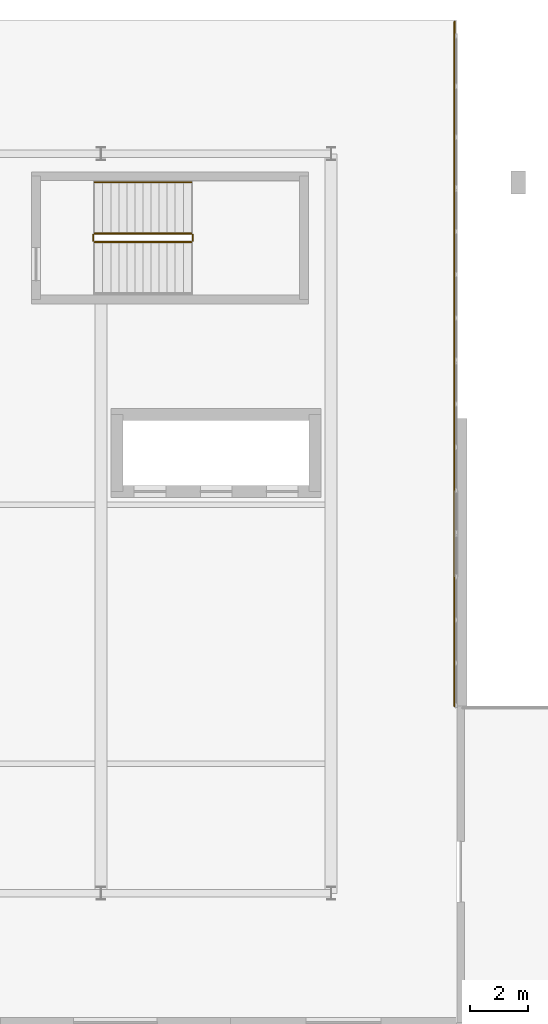
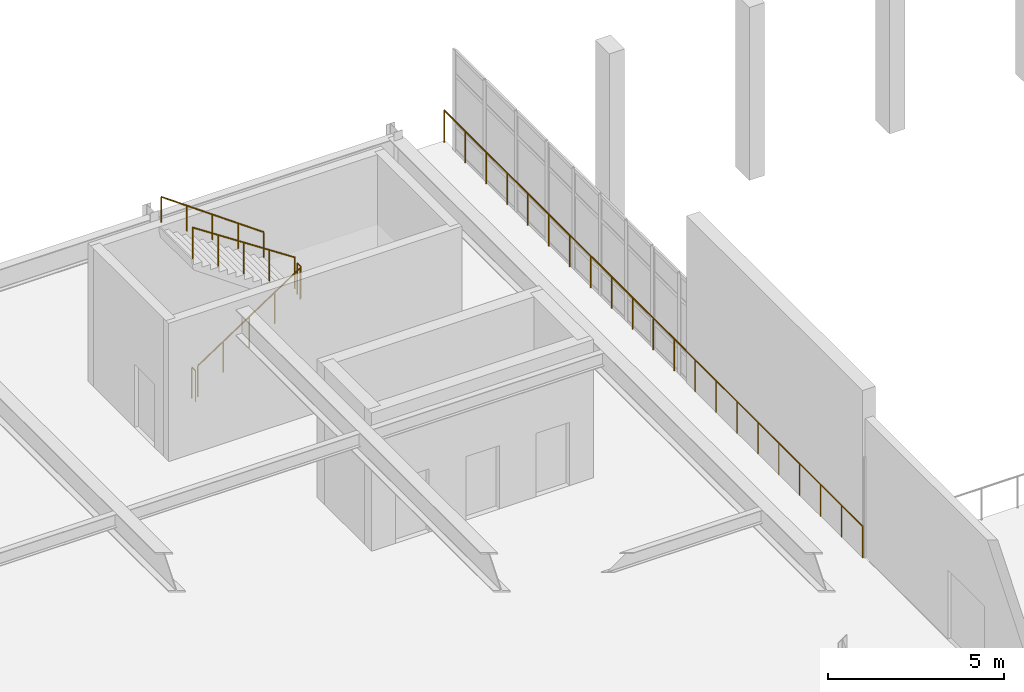
# One storey, part 53 of 54: 6 railings.
"""IFC4 building model written with IfcOpenShell, lengths in metres."""

from ifc_helpers import new_model, si_unit, direction, frame, origin, origin_2d, place, context, subcontext, project, spatial, circle, extrude, material, type_object, element, save


model = new_model("IFC4")

# Units and contexts
model_context = context("Model", 3, precision=1e-05, world=origin(), true_north=direction((0.0, 1.0)))
body_context = subcontext(model_context, "Body", "Model", "MODEL_VIEW")
ifc_project = project(units=[si_unit("LENGTHUNIT", "METRE"), si_unit("AREAUNIT", "SQUARE_METRE"), si_unit("VOLUMEUNIT", "CUBIC_METRE"), si_unit("PLANEANGLEUNIT", "RADIAN"), si_unit("MASSUNIT", "GRAM", prefix="KILO")], contexts=[model_context])

# Site, building, storey
site_placement = place(None, origin())
site = spatial("IfcSite", under=ifc_project, at=site_placement, CompositionType="ELEMENT")
building_placement = place(site_placement, origin())
building = spatial("IfcBuilding", under=site, at=building_placement, Name="Tlacozan Convention Centre", CompositionType="ELEMENT")
storey_placement = place(building_placement, frame((0.0, 0.0, 11.39990234375)))
storey = spatial("IfcBuildingStorey", under=building, at=storey_placement, Name="L02", CompositionType="ELEMENT", Elevation=11.39990234375)

# Railings
ifc_material = material(Name="Architectural Painted Galvanised Steel Railing", Category="steel")
railing_type_1 = type_object("IfcRailingType", Name="Stair Wall Handrail 900", PredefinedType="HANDRAIL", material=ifc_material)
railing_1_placement = place(storey_placement, frame((134.639892578125, 56.2099609375, 2.584716796875)))
element("IfcRailing", 1, at=railing_1_placement, inside=storey, type_object=railing_type_1, Name="L02 ST-03 stair handrail 2", PredefinedType="HANDRAIL", context=body_context, shape_type="SweptSolid", body=[
    extrude(circle(Radius=0.02392578125, at=origin_2d()), frame((0.0, 0.0, 0.8759765625), z_axis=(-0.813733471207, 0.0, 0.581238193719), x_axis=(0.0, -1.0, 0.0)), (0.0, 0.0, 1.0), 4.12890625),
    extrude(circle(Radius=0.02099609375, at=origin_2d()), origin(), (0.0, 0.0, 1.0), 0.851806640625),
    extrude(circle(Radius=0.02099609375, at=origin_2d()), frame((-0.83984375, 0.0, 0.60009765625)), (0.0, 0.0, 1.0), 0.851806640625),
    extrude(circle(Radius=0.02099609375, at=origin_2d()), frame((-1.679931640625, 0.0, 1.199951171875)), (0.0, 0.0, 1.0), 0.851806640625),
    extrude(circle(Radius=0.02099609375, at=origin_2d()), frame((-2.52001953125, 0.0, 1.7998046875)), (0.0, 0.0, 1.0), 0.851806640625),
    extrude(circle(Radius=0.02099609375, at=origin_2d()), frame((-3.35986328125, 0.0, 2.39990234375)), (0.0, 0.0, 1.0), 0.851806640625),
])
railing_type_2 = type_object("IfcRailingType", Name="Stair Well Guardrail 1100", PredefinedType="GUARDRAIL", material=ifc_material)
railing_2_placement = place(storey_placement, frame((131.280029296875, 54.1298828125, 0.184814453125)))
element("IfcRailing", 2, at=railing_2_placement, inside=storey, type_object=railing_type_2, Name="L02 ST-03 stair guard 1", PredefinedType="GUARDRAIL", context=body_context, shape_type="SweptSolid", body=[
    extrude(circle(Radius=0.02392578125, at=origin_2d()), frame((0.0, 0.0, 1.076171875), z_axis=(0.834858096282, 0.0, 0.550465220583), x_axis=(0.0, 1.0, 0.0)), (0.0, 0.0, 1.0), 4.0244140625),
    extrude(circle(Radius=0.02099609375, at=origin_2d()), origin(), (0.0, 0.0, 1.0), 1.052001953125),
    extrude(circle(Radius=0.02099609375, at=origin_2d()), frame((0.83984375, 0.0, 0.5537109375)), (0.0, 0.0, 1.0), 1.052001953125),
    extrude(circle(Radius=0.02099609375, at=origin_2d()), frame((1.679931640625, 0.0, 1.107666015625)), (0.0, 0.0, 1.0), 1.052001953125),
    extrude(circle(Radius=0.02099609375, at=origin_2d()), frame((2.52001953125, 0.0, 1.66162109375)), (0.0, 0.0, 1.0), 1.052001953125),
    extrude(circle(Radius=0.02099609375, at=origin_2d()), frame((3.35986328125, 0.0, 2.21533203125)), (0.0, 0.0, 1.0), 1.052001953125),
])
railing_3_placement = place(storey_placement, frame((134.68994140625, 54.179931640625, 2.400146484375)))
element("IfcRailing", 3, at=railing_3_placement, inside=storey, type_object=railing_type_2, Name="L02 ST-03 stair guard 2", PredefinedType="GUARDRAIL", context=body_context, shape_type="SweptSolid", body=[
    extrude(circle(Radius=0.02392578125, at=origin_2d()), frame((0.0, 0.0, 1.076171875), z_axis=(0.0, 1.0, 0.0), x_axis=(-1.0, 0.0, 0.0)), (0.0, 0.0, 1.0), 0.199951171875),
    extrude(circle(Radius=0.02099609375, at=origin_2d()), origin(), (0.0, 0.0, 1.0), 1.052001953125),
    extrude(circle(Radius=0.02099609375, at=origin_2d()), frame((0.0, 0.199951171875, 0.0)), (0.0, 0.0, 1.0), 1.052001953125),
])
railing_4_placement = place(storey_placement, frame((134.639892578125, 54.429931640625, 2.584716796875)))
element("IfcRailing", 4, at=railing_4_placement, inside=storey, type_object=railing_type_2, Name="L02 ST-03 stair guard 3", PredefinedType="GUARDRAIL", context=body_context, shape_type="SweptSolid", body=[
    extrude(circle(Radius=0.02392578125, at=origin_2d()), frame((0.0, 0.0, 1.076171875), z_axis=(-0.834858096282, 0.0, 0.550465220583), x_axis=(0.0, -1.0, 0.0)), (0.0, 0.0, 1.0), 4.0244140625),
    extrude(circle(Radius=0.02099609375, at=origin_2d()), origin(), (0.0, 0.0, 1.0), 1.052001953125),
    extrude(circle(Radius=0.02099609375, at=origin_2d()), frame((-0.83984375, 0.0, 0.5537109375)), (0.0, 0.0, 1.0), 1.052001953125),
    extrude(circle(Radius=0.02099609375, at=origin_2d()), frame((-1.679931640625, 0.0, 1.107666015625)), (0.0, 0.0, 1.0), 1.052001953125),
    extrude(circle(Radius=0.02099609375, at=origin_2d()), frame((-2.52001953125, 0.0, 1.66162109375)), (0.0, 0.0, 1.0), 1.052001953125),
    extrude(circle(Radius=0.02099609375, at=origin_2d()), frame((-3.35986328125, 0.0, 2.21533203125)), (0.0, 0.0, 1.0), 1.052001953125),
])
railing_5_placement = place(storey_placement, frame((131.22998046875, 54.179931640625, 0.0)))
element("IfcRailing", 5, at=railing_5_placement, inside=storey, type_object=railing_type_2, Name="L02 ST-03 stair guard 4", PredefinedType="GUARDRAIL", context=body_context, shape_type="SweptSolid", body=[
    extrude(circle(Radius=0.02392578125, at=origin_2d()), frame((0.0, 0.0, 1.076171875), z_axis=(0.0, 1.0, 0.0), x_axis=(-1.0, 0.0, 0.0)), (0.0, 0.0, 1.0), 0.199951171875),
    extrude(circle(Radius=0.02099609375, at=origin_2d()), origin(), (0.0, 0.0, 1.0), 1.052001953125),
    extrude(circle(Radius=0.02099609375, at=origin_2d()), frame((0.0, 0.199951171875, 0.0)), (0.0, 0.0, 1.0), 1.052001953125),
])
railing_type_3 = type_object("IfcRailingType", Name="Terrace Perimeter Guardrail 1120", PredefinedType="GUARDRAIL", material=ifc_material)
railing_6_placement = place(storey_placement, frame((143.7900390625, 38.0, 0.0)))
element("IfcRailing", 6, at=railing_6_placement, inside=storey, type_object=railing_type_3, Name="L02 Seismic Joint Edge Guardrail", PredefinedType="GUARDRAIL", context=body_context, shape_type="SweptSolid", body=[
    extrude(circle(Radius=0.02392578125, at=origin_2d()), frame((0.0, 0.0, 1.09619140625), z_axis=(0.0, 1.0, 0.0), x_axis=(-1.0, 0.0, 0.0)), (0.0, 0.0, 1.0), 23.7900390625),
    extrude(circle(Radius=0.02099609375, at=origin_2d()), origin(), (0.0, 0.0, 1.0), 1.072021484375),
    extrude(circle(Radius=0.02099609375, at=origin_2d()), frame((0.0, 1.189453125, 0.0)), (0.0, 0.0, 1.0), 1.072021484375),
    extrude(circle(Radius=0.02099609375, at=origin_2d()), frame((0.0, 2.37890625, 0.0)), (0.0, 0.0, 1.0), 1.072021484375),
    extrude(circle(Radius=0.02099609375, at=origin_2d()), frame((0.0, 3.568603515625, 0.0)), (0.0, 0.0, 1.0), 1.072021484375),
    extrude(circle(Radius=0.02099609375, at=origin_2d()), frame((0.0, 4.758056640625, 0.0)), (0.0, 0.0, 1.0), 1.072021484375),
    extrude(circle(Radius=0.02099609375, at=origin_2d()), frame((0.0, 5.947509765625, 0.0)), (0.0, 0.0, 1.0), 1.072021484375),
    extrude(circle(Radius=0.02099609375, at=origin_2d()), frame((0.0, 7.136962890625, 0.0)), (0.0, 0.0, 1.0), 1.072021484375),
    extrude(circle(Radius=0.02099609375, at=origin_2d()), frame((0.0, 8.326416015625, 0.0)), (0.0, 0.0, 1.0), 1.072021484375),
    extrude(circle(Radius=0.02099609375, at=origin_2d()), frame((0.0, 9.51611328125, 0.0)), (0.0, 0.0, 1.0), 1.072021484375),
    extrude(circle(Radius=0.02099609375, at=origin_2d()), frame((0.0, 10.70556640625, 0.0)), (0.0, 0.0, 1.0), 1.072021484375),
    extrude(circle(Radius=0.02099609375, at=origin_2d()), frame((0.0, 11.89501953125, 0.0)), (0.0, 0.0, 1.0), 1.072021484375),
    extrude(circle(Radius=0.02099609375, at=origin_2d()), frame((0.0, 13.08447265625, 0.0)), (0.0, 0.0, 1.0), 1.072021484375),
    extrude(circle(Radius=0.02099609375, at=origin_2d()), frame((0.0, 14.27392578125, 0.0)), (0.0, 0.0, 1.0), 1.072021484375),
    extrude(circle(Radius=0.02099609375, at=origin_2d()), frame((0.0, 15.463623046875, 0.0)), (0.0, 0.0, 1.0), 1.072021484375),
    extrude(circle(Radius=0.02099609375, at=origin_2d()), frame((0.0, 16.653076171875, 0.0)), (0.0, 0.0, 1.0), 1.072021484375),
    extrude(circle(Radius=0.02099609375, at=origin_2d()), frame((0.0, 17.842529296875, 0.0)), (0.0, 0.0, 1.0), 1.072021484375),
    extrude(circle(Radius=0.02099609375, at=origin_2d()), frame((0.0, 19.031982421875, 0.0)), (0.0, 0.0, 1.0), 1.072021484375),
    extrude(circle(Radius=0.02099609375, at=origin_2d()), frame((0.0, 20.221435546875, 0.0)), (0.0, 0.0, 1.0), 1.072021484375),
    extrude(circle(Radius=0.02099609375, at=origin_2d()), frame((0.0, 21.4111328125, 0.0)), (0.0, 0.0, 1.0), 1.072021484375),
    extrude(circle(Radius=0.02099609375, at=origin_2d()), frame((0.0, 22.6005859375, 0.0)), (0.0, 0.0, 1.0), 1.072021484375),
    extrude(circle(Radius=0.02099609375, at=origin_2d()), frame((0.0, 23.7900390625, 0.0)), (0.0, 0.0, 1.0), 1.072021484375),
])

save(model, "model.ifc")
